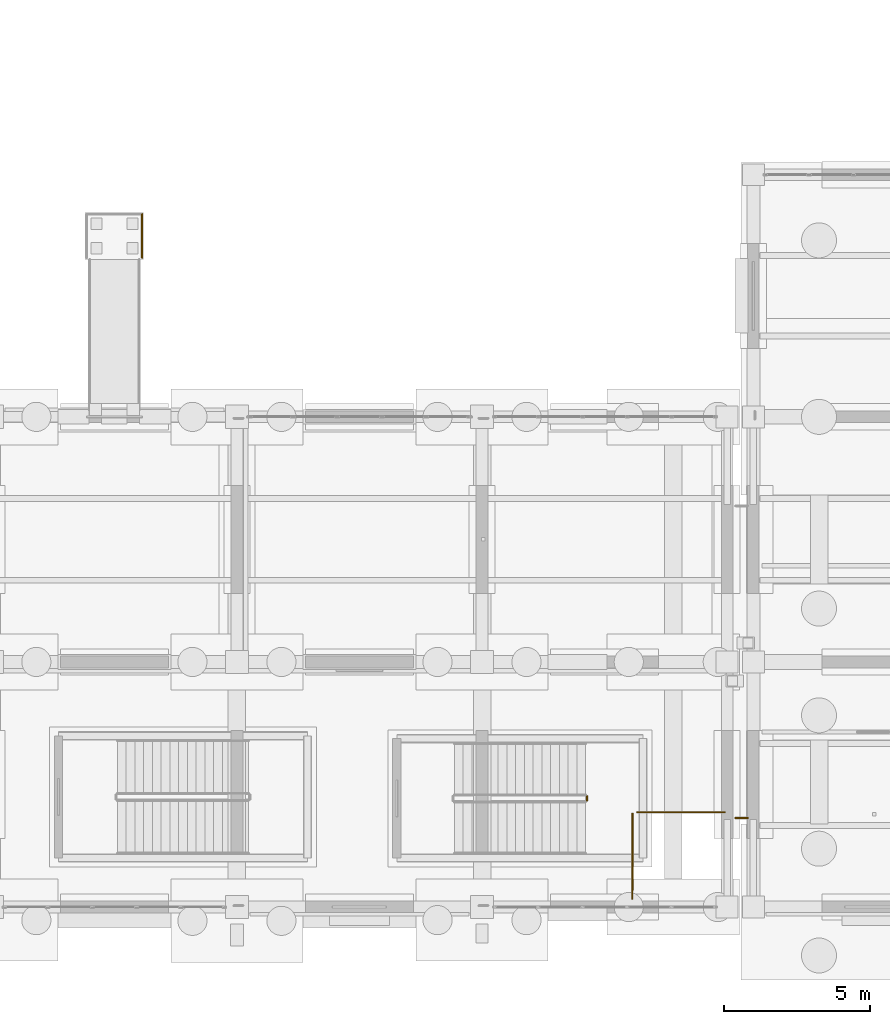
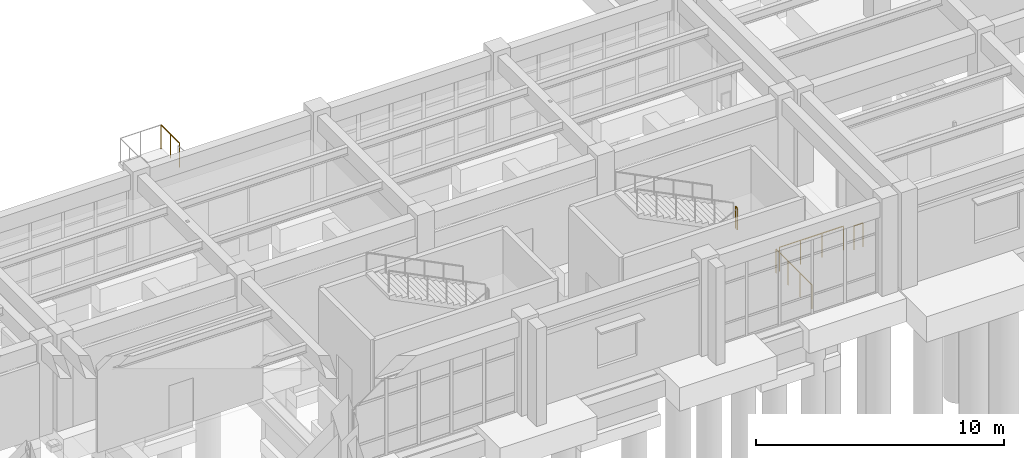
# One storey, part 101 of 111: 5 railings.
"""IFC4 building model written with IfcOpenShell, lengths in metres."""

from ifc_helpers import new_model, si_unit, direction, frame, origin, origin_2d, place, context, subcontext, project, spatial, circle, extrude, material, type_object, element, save


model = new_model("IFC4")

# Units and contexts
model_context = context("Model", 3, precision=1e-05, world=origin(), true_north=direction((0.0, 1.0)))
body_context = subcontext(model_context, "Body", "Model", "MODEL_VIEW")
ifc_project = project(units=[si_unit("LENGTHUNIT", "METRE"), si_unit("AREAUNIT", "SQUARE_METRE"), si_unit("VOLUMEUNIT", "CUBIC_METRE"), si_unit("PLANEANGLEUNIT", "RADIAN"), si_unit("MASSUNIT", "GRAM", prefix="KILO")], contexts=[model_context])

# Site, building, storey
site_placement = place(None, origin())
site = spatial("IfcSite", under=ifc_project, at=site_placement, CompositionType="ELEMENT")
building_placement = place(site_placement, origin())
building = spatial("IfcBuilding", under=site, at=building_placement, Name="Canglan Escarpment Cableway Terminal", CompositionType="ELEMENT")
storey_placement = place(building_placement, frame((0.0, 0.0, 4.800048828125)))
storey = spatial("IfcBuildingStorey", under=building, at=storey_placement, Name="L01", CompositionType="ELEMENT", Elevation=4.800048828125)

# Railings
ifc_material_1 = material(Name="Carved limestone and anodized bronze balustrade", Category="masonry")
railing_type_1 = type_object("IfcRailingType", Name="RL-EXT-BALUSTRADE-1200", PredefinedType="BALUSTRADE", material=ifc_material_1)
railing_1_placement = place(storey_placement, frame((90.550048828125, 30.25, -0.449951171875)))
element("IfcRailing", 1, at=railing_1_placement, inside=storey, type_object=railing_type_1, Name="Accessible Bench Courtyard Ramp 3 landing guard 2", PredefinedType="BALUSTRADE", context=body_context, shape_type="SweptSolid", body=[
    extrude(circle(Radius=0.02392578125, at=origin_2d()), frame((0.0, 0.0, 1.17578125), z_axis=(0.0, 1.0, 0.0), x_axis=(-1.0, 0.0, 0.0)), (0.0, 0.0, 1.0), 1.5),
    extrude(circle(Radius=0.02099609375, at=origin_2d()), origin(), (0.0, 0.0, 1.0), 1.15185546875),
    extrude(circle(Radius=0.02099609375, at=origin_2d()), frame((0.0, 0.75, 0.0)), (0.0, 0.0, 1.0), 1.15185546875),
    extrude(circle(Radius=0.02099609375, at=origin_2d()), frame((0.0, 1.5, 0.0)), (0.0, 0.0, 1.0), 1.15185546875),
])
railing_2_placement = place(storey_placement, frame((111.31005859375, 11.050048828125, 0.0)))
element("IfcRailing", 2, at=railing_2_placement, inside=storey, type_object=railing_type_1, Name="Classical terrace balustrade guard GD-01 (L01)", PredefinedType="BALUSTRADE", context=body_context, shape_type="SweptSolid", body=[
    extrude(circle(Radius=0.02392578125, at=origin_2d()), frame((0.0, 0.0, 1.17578125), z_axis=(-1.0, 0.0, 0.0), x_axis=(0.0, -1.0, 0.0)), (0.0, 0.0, 1.0), 0.420166015625),
    extrude(circle(Radius=0.02099609375, at=origin_2d()), origin(), (0.0, 0.0, 1.0), 1.15185546875),
    extrude(circle(Radius=0.02099609375, at=origin_2d()), frame((-0.420166015625, 0.0, 0.0)), (0.0, 0.0, 1.0), 1.15185546875),
])
railing_3_placement = place(storey_placement, frame((110.517333984375, 11.25, 0.0)))
element("IfcRailing", 3, at=railing_3_placement, inside=storey, type_object=railing_type_1, Name="Classical terrace balustrade guard GD-01 (L01)", PredefinedType="BALUSTRADE", context=body_context, shape_type="SweptSolid", body=[
    extrude(circle(Radius=0.02392578125, at=origin_2d()), frame((0.0, 0.0, 1.17578125), z_axis=(-1.0, 0.0, 0.0), x_axis=(0.0, -1.0, 0.0)), (0.0, 0.0, 1.0), 2.9873046875),
    extrude(circle(Radius=0.02099609375, at=origin_2d()), origin(), (0.0, 0.0, 1.0), 1.15185546875),
    extrude(circle(Radius=0.02099609375, at=origin_2d()), frame((-0.995849609375, 0.0, 0.0)), (0.0, 0.0, 1.0), 1.15185546875),
    extrude(circle(Radius=0.02099609375, at=origin_2d()), frame((-1.991455078125, 0.0, 0.0)), (0.0, 0.0, 1.0), 1.15185546875),
    extrude(circle(Radius=0.02099609375, at=origin_2d()), frame((-2.9873046875, 0.0, 0.0)), (0.0, 0.0, 1.0), 1.15185546875),
])
railing_4_placement = place(storey_placement, frame((107.356201171875, 11.20068359375, 0.0)))
element("IfcRailing", 4, at=railing_4_placement, inside=storey, type_object=railing_type_1, Name="Classical terrace balustrade guard GD-01 (L01)", PredefinedType="BALUSTRADE", context=body_context, shape_type="SweptSolid", body=[
    extrude(circle(Radius=0.02392578125, at=origin_2d()), frame((0.0, 0.0, 1.17578125), z_axis=(-0.002096958986, -0.999997801379, 0.0), x_axis=(0.999997801379, -0.002096958986, 0.0)), (0.0, 0.0, 1.0), 2.91064453125),
    extrude(circle(Radius=0.02099609375, at=origin_2d()), origin(), (0.0, 0.0, 1.0), 1.15185546875),
    extrude(circle(Radius=0.02099609375, at=origin_2d()), frame((-0.001953125, -0.97021484375, 0.0)), (0.0, 0.0, 1.0), 1.15185546875),
    extrude(circle(Radius=0.02099609375, at=origin_2d()), frame((-0.004150390625, -1.9404296875, 0.0)), (0.0, 0.0, 1.0), 1.15185546875),
    extrude(circle(Radius=0.02099609375, at=origin_2d()), frame((-0.006103515625, -2.91064453125, 0.0)), (0.0, 0.0, 1.0), 1.15185546875),
])
ifc_material_2 = material(Name="Powder-coated steel stair balustrade", Category="steel")
railing_type_2 = type_object("IfcRailingType", Name="RL-STR-GUARD-1100", PredefinedType="BALUSTRADE", material=ifc_material_2)
railing_5_placement = place(storey_placement, frame((105.800048828125, 11.64990234375, 2.39990234375)))
element("IfcRailing", 5, at=railing_5_placement, inside=storey, type_object=railing_type_2, Name="L01 ST-14 stair guard 2", PredefinedType="BALUSTRADE", context=body_context, shape_type="SweptSolid", body=[
    extrude(circle(Radius=0.02392578125, at=origin_2d()), frame((0.0, 0.0, 1.076171875), z_axis=(0.0, 1.0, 0.0), x_axis=(-1.0, 0.0, 0.0)), (0.0, 0.0, 1.0), 0.150146484375),
    extrude(circle(Radius=0.02099609375, at=origin_2d()), origin(), (0.0, 0.0, 1.0), 1.052001953125),
    extrude(circle(Radius=0.02099609375, at=origin_2d()), frame((0.0, 0.150146484375, 0.0)), (0.0, 0.0, 1.0), 1.052001953125),
])

save(model, "model.ifc")
